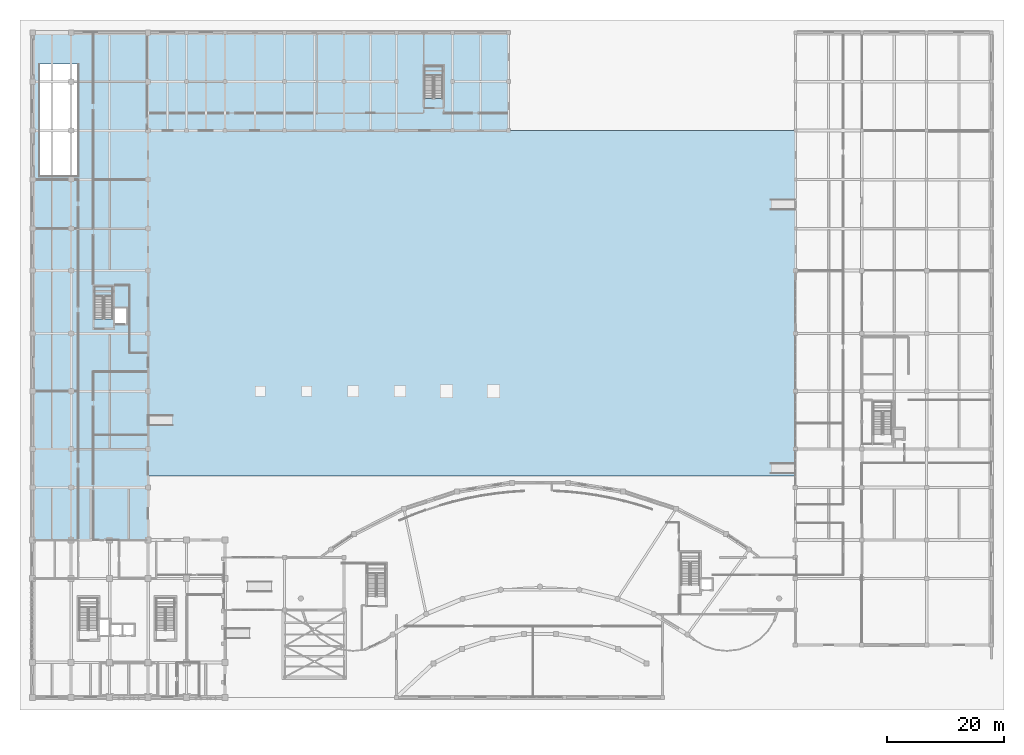
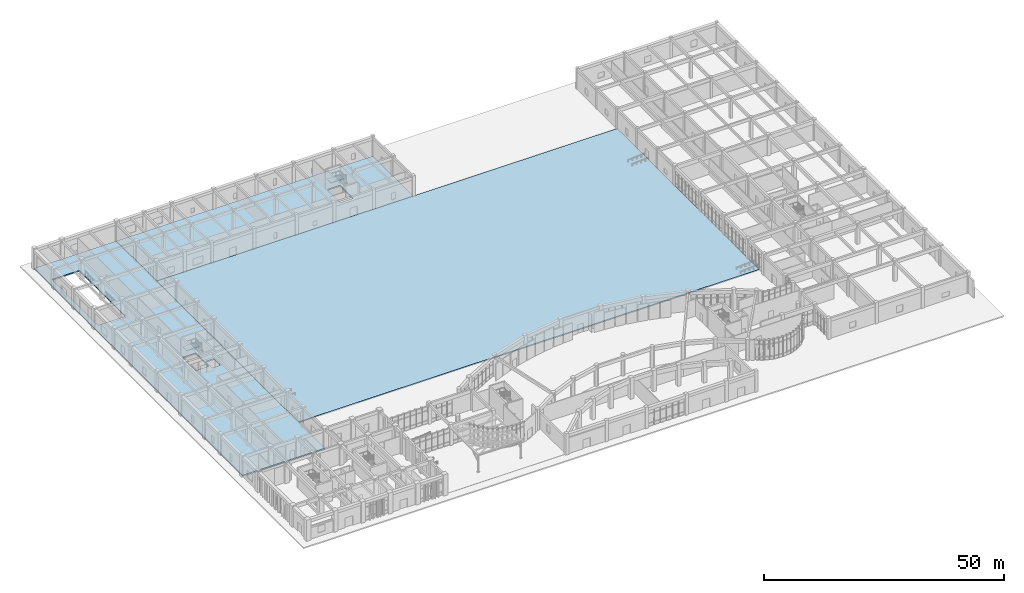
# One storey, part 44 of 70: 5 slabs, 2 elements without a shape of their own.
"""IFC4 building model written with IfcOpenShell, lengths in metres."""

from ifc_helpers import new_model, si_unit, direction, frame, origin, place, context, subcontext, project, spatial, polyline, outline, extrude, material, layer, layer_set, type_object, element, aggregate, save


model = new_model("IFC4")

# Units and contexts
model_context = context("Model", 3, precision=1e-05, world=origin(), true_north=direction((0.0, 1.0)))
body_context = subcontext(model_context, "Body", "Model", "MODEL_VIEW")
ifc_project = project(units=[si_unit("LENGTHUNIT", "METRE"), si_unit("AREAUNIT", "SQUARE_METRE"), si_unit("VOLUMEUNIT", "CUBIC_METRE"), si_unit("PLANEANGLEUNIT", "RADIAN"), si_unit("MASSUNIT", "GRAM", prefix="KILO")], contexts=[model_context])

# Site, building, storey
site_placement = place(None, origin())
site = spatial("IfcSite", under=ifc_project, at=site_placement, CompositionType="ELEMENT")
building_placement = place(site_placement, origin())
building = spatial("IfcBuilding", under=site, at=building_placement, Name="Miralva Faculty of Natural Sciences", CompositionType="ELEMENT")
storey_placement = place(building_placement, origin())
storey = spatial("IfcBuildingStorey", under=building, at=storey_placement, Name="L00", CompositionType="ELEMENT", Elevation=0.0)

# Slabs
ifc_material_1 = material(Name="Concrete C40/50", Category="concrete")
ifc_layer_1 = layer(ifc_material_1, 0.320068359375, Name="SL-FL01")
ifc_layer_set_1 = layer_set([ifc_layer_1], Name="Concrete C40/50")
slab_type_1 = type_object("IfcSlabType", Name="SL-FL01", PredefinedType="FLOOR", material=ifc_layer_set_1)
slab_1_placement = place(storey_placement, frame((0.0, 0.0, -0.320068359375)))
element("IfcSlab", 1, at=slab_1_placement, inside=storey, type_object=slab_type_1, Name="V4 L00 floor slab", PredefinedType="FLOOR", context=body_context, shape_type="SweptSolid", body=[
    extrude(outline(polyline([(22.800048828125, 30.0), (3.0, 30.0), (3.0, 117.0), (22.800048828125, 117.0), (22.800048828125, 30.0)]), holes=[polyline([(16.72509765625, 67.925048828125), (13.625, 67.925048828125), (13.625, 73.425048828125), (16.72509765625, 73.425048828125), (16.72509765625, 67.925048828125)]), polyline([(19.050048828125, 67.050048828125), (17.050048828125, 67.050048828125), (17.050048828125, 69.75), (19.050048828125, 69.75), (19.050048828125, 67.050048828125)]), polyline([(10.800048828125, 92.39990234375), (4.199951171875, 92.39990234375), (4.199951171875, 111.60009765625), (10.800048828125, 111.60009765625), (10.800048828125, 92.39990234375)])]), origin(), (0.0, 0.0, 1.0), 0.320068359375),
])
slab_2_placement = place(storey_placement, frame((0.0, 0.0, -0.320068359375)))
element("IfcSlab", 2, at=slab_2_placement, inside=storey, type_object=slab_type_1, Name="V4 L00 floor slab", PredefinedType="FLOOR", context=body_context, shape_type="SweptSolid", body=[
    extrude(outline(polyline([(84.60009765625, 100.199951171875), (22.800048828125, 100.199951171875), (22.800048828125, 117.0), (84.60009765625, 117.0), (84.60009765625, 100.199951171875)]), holes=[polyline([(73.324951171875, 105.72509765625), (70.22509765625, 105.72509765625), (70.22509765625, 111.22509765625), (73.324951171875, 111.22509765625), (73.324951171875, 105.72509765625)])]), origin(), (0.0, 0.0, 1.0), 0.320068359375),
])

# Stair, slab
stair_type = type_object("IfcStairType", Name="ST-CORE-540", PredefinedType="HALF_TURN_STAIR", material=ifc_material_1)
stair_1_placement = place(storey_placement, origin())
stair_1 = element("IfcStair", 3, at=stair_1_placement, inside=storey, type_object=stair_type, Name="Exit Stair Core C2 (ST-01) L00", PredefinedType="HALF_TURN_STAIR")
ifc_layer_2 = layer(ifc_material_1, 0.18994140625, Name="SL-LD01")
ifc_layer_set_2 = layer_set([ifc_layer_2], Name="Concrete C40/50")
slab_type_2 = type_object("IfcSlabType", Name="SL-LD01", PredefinedType="LANDING", material=ifc_layer_set_2)
slab_3_placement = place(storey_placement, frame((0.0, 0.0, 2.510009765625)))
slab_3 = element("IfcSlab", 4, at=slab_3_placement, type_object=slab_type_2, Name="ST-01 landing 1", PredefinedType="LANDING", context=body_context, shape_type="SweptSolid", body=[
    extrude(outline(polyline([(16.75, 71.820068359375), (16.75, 73.449951171875), (13.60009765625, 73.449951171875), (13.60009765625, 71.820068359375), (16.75, 71.820068359375)])), origin(), (0.0, 0.0, 1.0), 0.18994140625),
])
aggregate(stair_1, [slab_3])

stair_2_placement = place(storey_placement, origin())
stair_2 = element("IfcStair", 5, at=stair_2_placement, inside=storey, type_object=stair_type, Name="Exit Stair Core C5 (ST-01) L00", PredefinedType="HALF_TURN_STAIR")
slab_4_placement = place(storey_placement, frame((0.0, 0.0, 2.510009765625)))
slab_4 = element("IfcSlab", 6, at=slab_4_placement, type_object=slab_type_2, Name="ST-01 landing 1", PredefinedType="LANDING", context=body_context, shape_type="SweptSolid", body=[
    extrude(outline(polyline([(73.35009765625, 109.6201171875), (73.35009765625, 111.25), (70.199951171875, 111.25), (70.199951171875, 109.6201171875), (73.35009765625, 109.6201171875)])), origin(), (0.0, 0.0, 1.0), 0.18994140625),
])
aggregate(stair_2, [slab_4])

# Slab
ifc_material_2 = material(Name="Precast concrete C40/50", Category="concrete")
ifc_layer_3 = layer(ifc_material_2, 0.300048828125, Name="SL-PV01")
ifc_layer_set_3 = layer_set([ifc_layer_3], Name="Precast concrete C40/50")
slab_type_3 = type_object("IfcSlabType", Name="SL-PV01", PredefinedType="FLOOR", material=ifc_layer_set_3)
slab_5_placement = place(storey_placement, frame((0.0, 0.0, -0.300048828125)))
element("IfcSlab", 7, at=slab_5_placement, inside=storey, type_object=slab_type_3, Name="Sunny Walled Courtyard Paving", PredefinedType="FLOOR", context=body_context, shape_type="SweptSolid", body=[
    extrude(outline(polyline([(22.800048828125, 41.0), (22.800048828125, 100.199951171875), (133.800048828125, 100.199951171875), (133.800048828125, 41.0), (22.800048828125, 41.0)])), origin(), (0.0, 0.0, 1.0), 0.300048828125),
])

save(model, "model.ifc")
